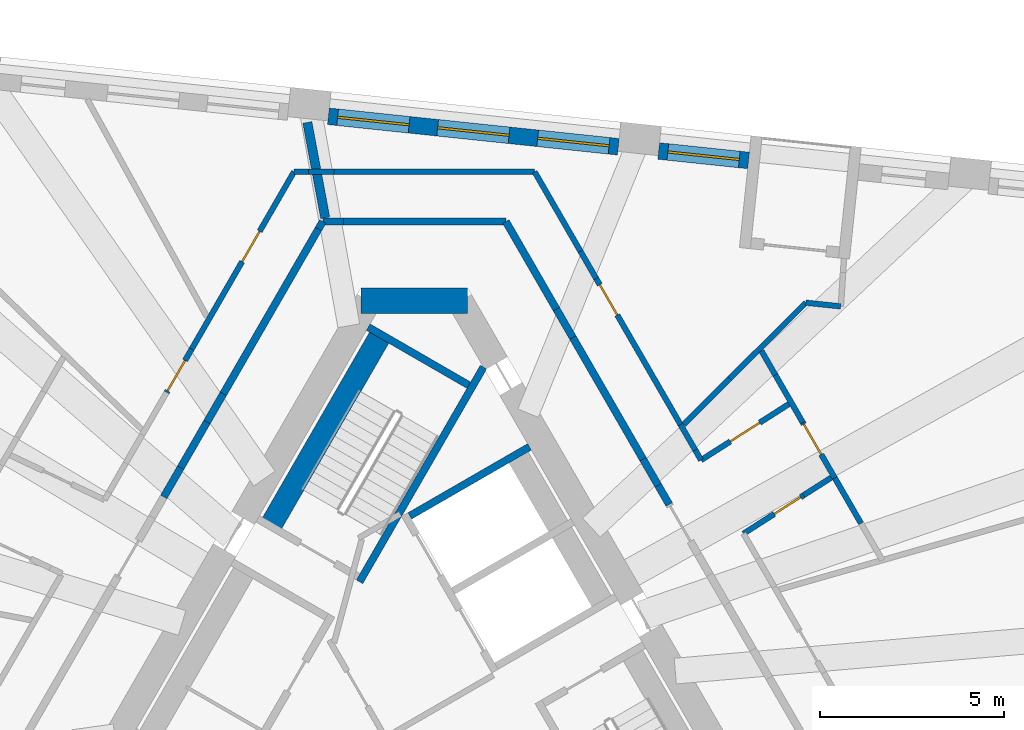
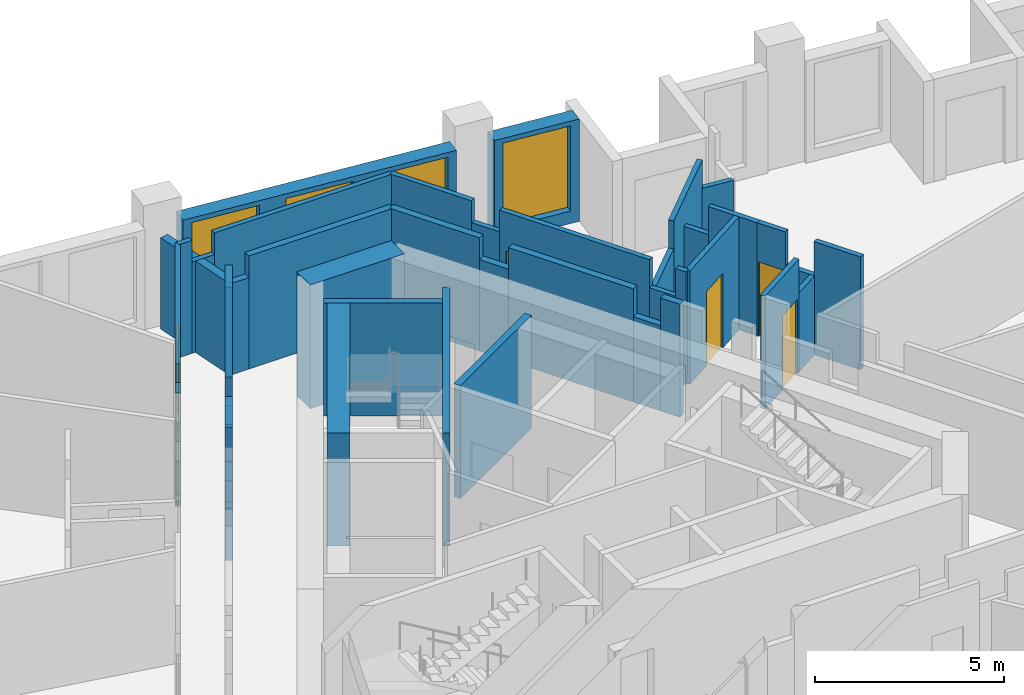
# One storey, part 7 of 11: 40 walls, 6 doors, 4 windows, 10 openings.
"""IFC4 building model written with IfcOpenShell, lengths in metres."""

from ifc_helpers import new_model, si_unit, direction, frame, frame_2d, origin, place, context, subcontext, project, spatial, polyline, rectangle, outline, extrude, material, layer, layer_set, type_object, element, fill, save


model = new_model("IFC4")

# Units and contexts
model_context = context("Model", 3, precision=1e-05, world=origin(), true_north=direction((0.0, 1.0)))
body_context = subcontext(model_context, "Body", "Model", "MODEL_VIEW")
ifc_project = project(units=[si_unit("LENGTHUNIT", "METRE"), si_unit("AREAUNIT", "SQUARE_METRE"), si_unit("VOLUMEUNIT", "CUBIC_METRE"), si_unit("PLANEANGLEUNIT", "RADIAN"), si_unit("MASSUNIT", "GRAM", prefix="KILO")], contexts=[model_context])

# Site, building, storey
site_placement = place(None, origin())
site = spatial("IfcSite", under=ifc_project, at=site_placement, CompositionType="ELEMENT")
building_placement = place(site_placement, origin())
building = spatial("IfcBuilding", under=site, at=building_placement, Name="Tramontana Tower", CompositionType="ELEMENT")
storey_placement = place(building_placement, frame((0.0, 0.0, 249.199951171875)))
storey = spatial("IfcBuildingStorey", under=building, at=storey_placement, Name="L58", CompositionType="ELEMENT", Elevation=249.199951171875)

# Walls
ifc_material_1 = material(Name="Concrete 70 MPa", Category="concrete")
ifc_layer_1 = layer(ifc_material_1, 0.699951171875)
ifc_layer_set_1 = layer_set([ifc_layer_1], Name="Core wall 700 70 MPa")
wall_type_1 = type_object("IfcWallType", Name="Core wall 700 70 MPa", PredefinedType="SHEAR", material=ifc_layer_set_1)
wall_1_placement = place(storey_placement, frame((1.443359375, 10.64990234375, 0.0), z_axis=(0.0, 0.0, 1.0), x_axis=(-1.0, 0.0, 0.0)))
element("IfcWall", 1, at=wall_1_placement, inside=storey, type_object=wall_type_1, Name="Core wall C0 L58", PredefinedType="SHEAR", context=body_context, shape_type="SweptSolid", body=[
    extrude(rectangle(XDim=2.88671875, YDim=0.699951171875, at=frame_2d((1.443359375, 0.0))), origin(), (0.0, 0.0, 1.0), 4.0),
])
ifc_material_2 = material(Name="Blockwork", Category="masonry")
ifc_layer_2 = layer(ifc_material_2, 0.199951171875)
ifc_layer_set_2 = layer_set([ifc_layer_2], Name="ENTRY WALL 200")
wall_type_2 = type_object("IfcWallType", Name="ENTRY WALL 200", PredefinedType="SOLIDWALL", material=ifc_layer_set_2)
wall_2_placement = place(storey_placement, frame((-6.79541015625, 5.329833984375, 0.0), z_axis=(0.0, 0.0, 1.0), x_axis=(0.499975954304, 0.866039286129, 0.0)))
element("IfcWall", 2, at=wall_2_placement, inside=storey, type_object=wall_type_2, Name="Wall v61-ew3-7", PredefinedType="SOLIDWALL", context=body_context, shape_type="SweptSolid", body=[
    extrude(rectangle(XDim=0.9169921875, YDim=0.199951171875, at=frame_2d((0.45849609375, 0.0))), origin(), (0.0, 0.0, 1.0), 2.550048828125),
])
wall_3_placement = place(storey_placement, frame((-6.3369140625, 6.1240234375, 0.0), z_axis=(0.0, 0.0, 1.0), x_axis=(0.499904796234, 0.866080362727, 0.0)))
element("IfcWall", 3, at=wall_3_placement, inside=storey, type_object=wall_type_2, Name="Wall v61-ew3-8", PredefinedType="SOLIDWALL", context=body_context, shape_type="SweptSolid", body=[
    extrude(rectangle(XDim=1.429443359375, YDim=0.199951171875, at=frame_2d((0.71484375, 0.0))), origin(), (0.0, 0.0, 1.0), 3.650146484375),
])
wall_4_placement = place(storey_placement, frame((-5.622314453125, 7.362060546875, 0.0), z_axis=(0.0, 0.0, 1.0), x_axis=(0.500121072013, 0.86595549154, 0.0)))
element("IfcWall", 4, at=wall_4_placement, inside=storey, type_object=wall_type_2, Name="Wall v61-ew3-9", PredefinedType="SOLIDWALL", context=body_context, shape_type="SweptSolid", body=[
    extrude(rectangle(XDim=0.883544921875, YDim=0.199951171875, at=frame_2d((0.44189453125, 0.0))), origin(), (0.0, 0.0, 1.0), 2.75),
])
wall_5_placement = place(storey_placement, frame((-5.180419921875, 8.127197265625, 0.0), z_axis=(0.0, 0.0, 1.0), x_axis=(0.499995433041, 0.866028040503, 0.0)))
element("IfcWall", 5, at=wall_5_placement, inside=storey, type_object=wall_type_2, Name="Wall v61-ew3-10", PredefinedType="SOLIDWALL", context=body_context, shape_type="SweptSolid", body=[
    extrude(rectangle(XDim=5.1611328125, YDim=0.199951171875, at=frame_2d((2.58056640625, 0.0))), origin(), (0.0, 0.0, 1.0), 3.650146484375),
])
wall_6_placement = place(storey_placement, frame((-2.599853515625, 12.596923828125, 0.0), z_axis=(0.0, 0.0, 1.0), x_axis=(0.49972245349, 0.866185586049, 0.0)))
element("IfcWall", 6, at=wall_6_placement, inside=storey, type_object=wall_type_2, Name="Wall v61-ew3-11", PredefinedType="SOLIDWALL", context=body_context, shape_type="SweptSolid", body=[
    extrude(rectangle(XDim=0.234619140625, YDim=0.199951171875, at=frame_2d((0.1171875, 0.0))), origin(), (0.0, 0.0, 1.0), 2.949951171875),
])
wall_7_placement = place(storey_placement, frame((-2.482666015625, 12.800048828125, 0.0), z_axis=(0.0, 0.0, 1.0), x_axis=(1.0, 0.0, 0.0)))
element("IfcWall", 7, at=wall_7_placement, inside=storey, type_object=wall_type_2, Name="Wall v61-ew4-0", PredefinedType="SOLIDWALL", context=body_context, shape_type="SweptSolid", body=[
    extrude(rectangle(XDim=0.5576171875, YDim=0.199951171875, at=frame_2d((0.27880859375, 0.0))), origin(), (0.0, 0.0, 1.0), 2.949951171875),
])
wall_8_placement = place(storey_placement, frame((-1.925048828125, 12.800048828125, 0.0), z_axis=(0.0, 0.0, 1.0), x_axis=(1.0, 0.0, 0.0)))
element("IfcWall", 8, at=wall_8_placement, inside=storey, type_object=wall_type_2, Name="Wall v61-ew4-1", PredefinedType="SOLIDWALL", context=body_context, shape_type="SweptSolid", body=[
    extrude(rectangle(XDim=4.40771484375, YDim=0.199951171875, at=frame_2d((2.203857421875, 0.0))), origin(), (0.0, 0.0, 1.0), 3.650146484375),
])
wall_9_placement = place(storey_placement, frame((2.482666015625, 12.800048828125, 0.0), z_axis=(0.0, 0.0, 1.0), x_axis=(0.499956000529, -0.8660508054, 0.0)))
element("IfcWall", 9, at=wall_9_placement, inside=storey, type_object=wall_type_2, Name="Wall v61-ew5-0", PredefinedType="SOLIDWALL", context=body_context, shape_type="SweptSolid", body=[
    extrude(rectangle(XDim=2.744873046875, YDim=0.199951171875, at=frame_2d((1.37255859375, 0.0))), origin(), (0.0, 0.0, 1.0), 3.650146484375),
])
wall_10_placement = place(storey_placement, frame((3.85498046875, 10.4228515625, 0.0), z_axis=(0.0, 0.0, 1.0), x_axis=(0.500135429527, -0.86594719939, 0.0)))
element("IfcWall", 10, at=wall_10_placement, inside=storey, type_object=wall_type_2, Name="Wall v61-ew5-1", PredefinedType="SOLIDWALL", context=body_context, shape_type="SweptSolid", body=[
    extrude(rectangle(XDim=0.886962890625, YDim=0.199951171875, at=frame_2d((0.443359375, 0.0))), origin(), (0.0, 0.0, 1.0), 2.949951171875),
])
wall_11_placement = place(storey_placement, frame((4.298583984375, 9.65478515625, 0.0), z_axis=(0.0, 0.0, 1.0), x_axis=(0.499997905474, -0.866026613056, 0.0)))
element("IfcWall", 11, at=wall_11_placement, inside=storey, type_object=wall_type_2, Name="Wall v61-ew5-2", PredefinedType="SOLIDWALL", context=body_context, shape_type="SweptSolid", body=[
    extrude(rectangle(XDim=3.810546875, YDim=0.199951171875, at=frame_2d((1.9052734375, 0.0))), origin(), (0.0, 0.0, 1.0), 3.650146484375),
])
wall_12_placement = place(storey_placement, frame((6.203857421875, 6.354736328125, 0.0), z_axis=(0.0, 0.0, 1.0), x_axis=(0.499911126926, -0.866076708598, 0.0)))
element("IfcWall", 12, at=wall_12_placement, inside=storey, type_object=wall_type_2, Name="Wall v61-ew5-3", PredefinedType="SOLIDWALL", context=body_context, shape_type="SweptSolid", body=[
    extrude(rectangle(XDim=0.821533203125, YDim=0.199951171875, at=frame_2d((0.41064453125, 0.0))), origin(), (0.0, 0.0, 1.0), 2.75),
])
wall_13_placement = place(storey_placement, frame((6.614501953125, 5.643310546875, 0.0), z_axis=(0.0, 0.0, 1.0), x_axis=(0.500169019818, -0.865927798153, 0.0)))
element("IfcWall", 13, at=wall_13_placement, inside=storey, type_object=wall_type_2, Name="Wall v61-ew5-4", PredefinedType="SOLIDWALL", context=body_context, shape_type="SweptSolid", body=[
    extrude(rectangle(XDim=0.599365234375, YDim=0.199951171875, at=frame_2d((0.2998046875, 0.0))), origin(), (0.0, 0.0, 1.0), 3.650146484375),
])

# Wall, opening, window
ifc_material_3 = material(Name="Precast concrete 60 MPa", Category="concrete")
ifc_layer_3 = layer(ifc_material_3, 0.449951171875)
ifc_layer_set_3 = layer_set([ifc_layer_3], Name="Precast concrete 60 MPa, 450 mm")
wall_type_3 = type_object("IfcWallType", Name="EW1 Stone-faced precast wall 450", PredefinedType="SOLIDWALL", material=ifc_layer_set_3)
wall_14_placement = place(storey_placement, frame((9.06640625, 14.45654296875, 0.0), z_axis=(0.0, 0.0, 1.0), x_axis=(-0.994521805438, 0.10452931889, 0.0)))
wall_14 = element("IfcWall", 14, at=wall_14_placement, inside=storey, type_object=wall_type_3, Name="External wall L58 face 2 bay 2", PredefinedType="SOLIDWALL", context=body_context, shape_type="SweptSolid", body=[
    extrude(rectangle(XDim=2.452392578125, YDim=0.449951171875, at=frame_2d((1.22607421875, 0.0))), origin(), (0.0, 0.0, 1.0), 3.300048828125),
])
opening_1_placement = place(wall_14_placement, frame((0.251220703125, 0.0, 0.39990234375)))
opening_1 = element("IfcOpeningElement", 15, at=opening_1_placement, cuts=wall_14, Name="Opening M3", PredefinedType="OPENING", context=body_context, shape_type="SweptSolid", body=[
    extrude(rectangle(XDim=1.949951171875, YDim=2.75, at=frame_2d((0.97509765625, 1.375))), frame((0.0, 0.23486328125, 0.0), z_axis=(0.0, -1.0, 0.0), x_axis=(1.0, 0.0, 0.0)), (0.0, 0.0, 1.0), 0.469970703125),
])
ifc_material_4 = material(Name="Aluminum frame, double glazing unit", Category="aluminium")
window_type = type_object("IfcWindowType", Name="M3 Window 1.95 x 2.75", PartitioningType="SINGLE_PANEL", PredefinedType="WINDOW", material=ifc_material_4)
window_1_placement = place(opening_1_placement, origin())
window_1 = element("IfcWindow", 16, at=window_1_placement, inside=storey, type_object=window_type, Name="Window M3 L58 face 2 module 6", OverallHeight=2.75, OverallWidth=1.949951171875, PartitioningType="SINGLE_PANEL", PredefinedType="WINDOW", context=body_context, shape_type="SweptSolid", body=[
    extrude(rectangle(XDim=1.949951171875, YDim=2.75, at=frame_2d((0.97509765625, 1.375))), frame((0.0, 0.030029296875, 0.0), z_axis=(0.0, -1.0, 0.0), x_axis=(1.0, 0.0, 0.0)), (0.0, 0.0, 1.0), 0.06005859375),
])
fill(opening_1, window_1)

# Wall, openings, windows
wall_15_placement = place(storey_placement, frame((5.53369140625, 14.827880859375, 0.0), z_axis=(0.0, 0.0, 1.0), x_axis=(-0.994522865711, 0.104519230663, 0.0)))
wall_15 = element("IfcWall", 17, at=wall_15_placement, inside=storey, type_object=wall_type_3, Name="External wall L58 face 2 bay 3", PredefinedType="SOLIDWALL", context=body_context, shape_type="SweptSolid", body=[
    extrude(rectangle(XDim=7.90673828125, YDim=0.449951171875, at=frame_2d((3.953369140625, 0.0))), origin(), (0.0, 0.0, 1.0), 3.300048828125),
])
opening_2_placement = place(wall_15_placement, frame((0.251220703125, 0.0, 0.39990234375)))
opening_2 = element("IfcOpeningElement", 18, at=opening_2_placement, cuts=wall_15, Name="Opening M3", PredefinedType="OPENING", context=body_context, shape_type="SweptSolid", body=[
    extrude(rectangle(XDim=1.949951171875, YDim=2.75, at=frame_2d((0.97509765625, 1.375))), frame((0.0, 0.23486328125, 0.0), z_axis=(0.0, -1.0, 0.0), x_axis=(1.0, 0.0, 0.0)), (0.0, 0.0, 1.0), 0.469970703125),
])
opening_3_placement = place(wall_15_placement, frame((2.978271484375, 0.0, 0.39990234375)))
opening_3 = element("IfcOpeningElement", 19, at=opening_3_placement, cuts=wall_15, Name="Opening M3", PredefinedType="OPENING", context=body_context, shape_type="SweptSolid", body=[
    extrude(rectangle(XDim=1.949951171875, YDim=2.75, at=frame_2d((0.97509765625, 1.375))), frame((0.0, 0.23486328125, 0.0), z_axis=(0.0, -1.0, 0.0), x_axis=(1.0, 0.0, 0.0)), (0.0, 0.0, 1.0), 0.469970703125),
])
opening_4_placement = place(wall_15_placement, frame((5.70556640625, 0.0, 0.39990234375)))
opening_4 = element("IfcOpeningElement", 20, at=opening_4_placement, cuts=wall_15, Name="Opening M3", PredefinedType="OPENING", context=body_context, shape_type="SweptSolid", body=[
    extrude(rectangle(XDim=1.949951171875, YDim=2.75, at=frame_2d((0.97509765625, 1.375))), frame((0.0, 0.23486328125, 0.0), z_axis=(0.0, -1.0, 0.0), x_axis=(1.0, 0.0, 0.0)), (0.0, 0.0, 1.0), 0.469970703125),
])
window_2_placement = place(opening_2_placement, origin())
window_2 = element("IfcWindow", 21, at=window_2_placement, inside=storey, type_object=window_type, Name="Window M3 L58 face 2 module 7", OverallHeight=2.75, OverallWidth=1.949951171875, PartitioningType="SINGLE_PANEL", PredefinedType="WINDOW", context=body_context, shape_type="SweptSolid", body=[
    extrude(rectangle(XDim=1.949951171875, YDim=2.75, at=frame_2d((0.97509765625, 1.375))), frame((0.0, 0.030029296875, 0.0), z_axis=(0.0, -1.0, 0.0), x_axis=(1.0, 0.0, 0.0)), (0.0, 0.0, 1.0), 0.06005859375),
])
fill(opening_2, window_2)
window_3_placement = place(opening_3_placement, origin())
window_3 = element("IfcWindow", 22, at=window_3_placement, inside=storey, type_object=window_type, Name="Window M3 L58 face 2 module 8", OverallHeight=2.75, OverallWidth=1.949951171875, PartitioningType="SINGLE_PANEL", PredefinedType="WINDOW", context=body_context, shape_type="SweptSolid", body=[
    extrude(rectangle(XDim=1.949951171875, YDim=2.75, at=frame_2d((0.97509765625, 1.375))), frame((0.0, 0.030029296875, 0.0), z_axis=(0.0, -1.0, 0.0), x_axis=(1.0, 0.0, 0.0)), (0.0, 0.0, 1.0), 0.06005859375),
])
fill(opening_3, window_3)
window_4_placement = place(opening_4_placement, origin())
window_4 = element("IfcWindow", 23, at=window_4_placement, inside=storey, type_object=window_type, Name="Window M3 L58 face 2 module 9", OverallHeight=2.75, OverallWidth=1.949951171875, PartitioningType="SINGLE_PANEL", PredefinedType="WINDOW", context=body_context, shape_type="SweptSolid", body=[
    extrude(rectangle(XDim=1.949951171875, YDim=2.75, at=frame_2d((0.97509765625, 1.375))), frame((0.0, 0.030029296875, 0.0), z_axis=(0.0, -1.0, 0.0), x_axis=(1.0, 0.0, 0.0)), (0.0, 0.0, 1.0), 0.06005859375),
])
fill(opening_4, window_4)

# Wall, opening, door
ifc_material_5 = material(Name="Gypsum board partition")
ifc_layer_4 = layer(ifc_material_5, 0.14990234375)
ifc_layer_set_4 = layer_set([ifc_layer_4], Name="PARTITION 150")
wall_type_4 = type_object("IfcWallType", Name="PARTITION 150", PredefinedType="PARTITIONING", material=ifc_layer_set_4)
wall_16_placement = place(storey_placement, frame((-6.717041015625, 8.16552734375, 0.0), z_axis=(0.0, 0.0, 1.0), x_axis=(0.499941024108, 0.866059450854, 0.0)))
wall_16 = element("IfcWall", 24, at=wall_16_placement, inside=storey, type_object=wall_type_4, Name="Wall v61-pw09-4", PredefinedType="PARTITIONING", context=body_context, shape_type="SweptSolid", body=[
    extrude(outline(polyline([(0.0, 0.0), (1.353759765625, 0.0), (1.353759765625, 2.75), (0.497802734375, 2.75), (0.497802734375, 3.650146484375), (0.0, 3.650146484375), (0.0, 0.0)])), frame((0.0, 0.074951171875, 0.0), z_axis=(0.0, -1.0, 0.0), x_axis=(1.0, 0.0, 0.0)), (0.0, 0.0, 1.0), 0.14990234375),
])
opening_5_placement = place(wall_16_placement, frame((0.050048828125, 0.0, 0.0)))
opening_5 = element("IfcOpeningElement", 25, at=opening_5_placement, cuts=wall_16, Name="Opening B6B-04", PredefinedType="OPENING", context=body_context, shape_type="SweptSolid", body=[
    extrude(rectangle(XDim=0.949951171875, YDim=2.39990234375, at=frame_2d((0.47509765625, 1.199951171875))), frame((0.0, 0.0849609375, 0.0), z_axis=(0.0, -1.0, 0.0), x_axis=(1.0, 0.0, 0.0)), (0.0, 0.0, 1.0), 0.169921875),
])
ifc_material_6 = material(Name="Painted timber", Category="wood")
door_type_1 = type_object("IfcDoorType", Name="DOOR ROOM 950", OperationType="SINGLE_SWING_LEFT", PredefinedType="DOOR", material=ifc_material_6)
door_1_placement = place(opening_5_placement, origin())
door_1 = element("IfcDoor", 26, at=door_1_placement, inside=storey, type_object=door_type_1, Name="Door B6B-04", OperationType="SINGLE_SWING_RIGHT", OverallHeight=2.39990234375, OverallWidth=0.949951171875, PredefinedType="DOOR", context=body_context, shape_type="SweptSolid", body=[
    extrude(rectangle(XDim=0.949951171875, YDim=2.39990234375, at=frame_2d((0.47509765625, 1.199951171875))), frame((0.0, 0.02490234375, 0.0), z_axis=(0.0, -1.0, 0.0), x_axis=(1.0, 0.0, 0.0)), (0.0, 0.0, 1.0), 0.050048828125),
])
fill(opening_5, door_1)

wall_17_placement = place(storey_placement, frame((-6.040283203125, 9.337890625, 0.0), z_axis=(0.0, 0.0, 1.0), x_axis=(0.500014044516, 0.866017295027, 0.0)))
wall_17 = element("IfcWall", 27, at=wall_17_placement, inside=storey, type_object=wall_type_4, Name="Wall v61-pw09-5", PredefinedType="PARTITIONING", context=body_context, shape_type="SweptSolid", body=[
    extrude(rectangle(XDim=5.556396484375, YDim=0.14990234375, at=frame_2d((2.7783203125, 0.0))), origin(), (0.0, 0.0, 1.0), 3.650146484375),
])
opening_6_placement = place(wall_17_placement, frame((2.7421875, 0.0, 0.0)))
opening_6 = element("IfcOpeningElement", 28, at=opening_6_placement, cuts=wall_17, Name="Opening B6B-05", PredefinedType="OPENING", context=body_context, shape_type="SweptSolid", body=[
    extrude(rectangle(XDim=0.949951171875, YDim=2.39990234375, at=frame_2d((0.47509765625, 1.199951171875))), frame((0.0, 0.0849609375, 0.0), z_axis=(0.0, -1.0, 0.0), x_axis=(1.0, 0.0, 0.0)), (0.0, 0.0, 1.0), 0.169921875),
])
door_2_placement = place(opening_6_placement, origin())
door_2 = element("IfcDoor", 29, at=door_2_placement, inside=storey, type_object=door_type_1, Name="Door B6B-05", OperationType="SINGLE_SWING_LEFT", OverallHeight=2.39990234375, OverallWidth=0.949951171875, PredefinedType="DOOR", context=body_context, shape_type="SweptSolid", body=[
    extrude(rectangle(XDim=0.949951171875, YDim=2.39990234375, at=frame_2d((0.47509765625, 1.199951171875))), frame((0.0, 0.02490234375, 0.0), z_axis=(0.0, -1.0, 0.0), x_axis=(1.0, 0.0, 0.0)), (0.0, 0.0, 1.0), 0.050048828125),
])
fill(opening_6, door_2)

# Walls
wall_18_placement = place(storey_placement, frame((-3.261962890625, 14.14990234375, 0.0), z_axis=(0.0, 0.0, 1.0), x_axis=(1.0, 0.0, 0.0)))
element("IfcWall", 30, at=wall_18_placement, inside=storey, type_object=wall_type_4, Name="Wall v61-pw15-0", PredefinedType="PARTITIONING", context=body_context, shape_type="SweptSolid", body=[
    extrude(rectangle(XDim=0.398193359375, YDim=0.14990234375, at=frame_2d((0.19921875, 0.0))), origin(), (0.0, 0.0, 1.0), 3.650146484375),
])
wall_19_placement = place(storey_placement, frame((-2.86376953125, 14.14990234375, 0.0), z_axis=(0.0, 0.0, 1.0), x_axis=(1.0, 0.0, 0.0)))
element("IfcWall", 31, at=wall_19_placement, inside=storey, type_object=wall_type_4, Name="Wall v61-pw15-1", PredefinedType="PARTITIONING", context=body_context, shape_type="SweptSolid", body=[
    extrude(rectangle(XDim=0.685546875, YDim=0.14990234375, at=frame_2d((0.3427734375, 0.0))), origin(), (0.0, 0.0, 1.0), 2.949951171875),
])
wall_20_placement = place(storey_placement, frame((-2.17822265625, 14.14990234375, 0.0), z_axis=(0.0, 0.0, 1.0), x_axis=(1.0, 0.0, 0.0)))
element("IfcWall", 32, at=wall_20_placement, inside=storey, type_object=wall_type_4, Name="Wall v61-pw15-2", PredefinedType="PARTITIONING", context=body_context, shape_type="SweptSolid", body=[
    extrude(rectangle(XDim=5.440185546875, YDim=0.14990234375, at=frame_2d((2.72021484375, 0.0))), origin(), (0.0, 0.0, 1.0), 3.650146484375),
])
wall_21_placement = place(storey_placement, frame((3.261962890625, 14.14990234375, 0.0), z_axis=(0.0, 0.0, 1.0), x_axis=(0.500042260233, -0.866001003452, 0.0)))
element("IfcWall", 33, at=wall_21_placement, inside=storey, type_object=wall_type_4, Name="Wall v61-pw19-0", PredefinedType="PARTITIONING", context=body_context, shape_type="SweptSolid", body=[
    extrude(rectangle(XDim=2.489013671875, YDim=0.14990234375, at=frame_2d((1.24462890625, 0.0))), origin(), (0.0, 0.0, 1.0), 3.650146484375),
])
wall_22_placement = place(storey_placement, frame((4.506591796875, 11.994384765625, 0.0), z_axis=(0.0, 0.0, 1.0), x_axis=(0.499944768143, -0.866057289563, 0.0)))
element("IfcWall", 34, at=wall_22_placement, inside=storey, type_object=wall_type_4, Name="Wall v61-pw19-1", PredefinedType="PARTITIONING", context=body_context, shape_type="SweptSolid", body=[
    extrude(rectangle(XDim=0.85546875, YDim=0.14990234375, at=frame_2d((0.427734375, 0.0))), origin(), (0.0, 0.0, 1.0), 2.949951171875),
])

# Wall, opening, door
wall_23_placement = place(storey_placement, frame((4.934326171875, 11.25341796875, 0.0), z_axis=(0.0, 0.0, 1.0), x_axis=(0.500001111708, -0.866024761939, 0.0)))
wall_23 = element("IfcWall", 35, at=wall_23_placement, inside=storey, type_object=wall_type_4, Name="Wall v61-pw19-2", PredefinedType="PARTITIONING", context=body_context, shape_type="SweptSolid", body=[
    extrude(rectangle(XDim=4.57568359375, YDim=0.14990234375, at=frame_2d((2.287841796875, 0.0))), origin(), (0.0, 0.0, 1.0), 3.650146484375),
])
opening_7_placement = place(wall_23_placement, frame((0.1923828125, 0.0, 0.0)))
opening_7 = element("IfcOpeningElement", 36, at=opening_7_placement, cuts=wall_23, Name="Opening B6B-19", PredefinedType="OPENING", context=body_context, shape_type="SweptSolid", body=[
    extrude(rectangle(XDim=0.949951171875, YDim=2.39990234375, at=frame_2d((0.47509765625, 1.199951171875))), frame((0.0, 0.0849609375, 0.0), z_axis=(0.0, -1.0, 0.0), x_axis=(1.0, 0.0, 0.0)), (0.0, 0.0, 1.0), 0.169921875),
])
door_3_placement = place(opening_7_placement, origin())
door_3 = element("IfcDoor", 37, at=door_3_placement, inside=storey, type_object=door_type_1, Name="Door B6B-19", OperationType="SINGLE_SWING_LEFT", OverallHeight=2.39990234375, OverallWidth=0.949951171875, PredefinedType="DOOR", context=body_context, shape_type="SweptSolid", body=[
    extrude(rectangle(XDim=0.949951171875, YDim=2.39990234375, at=frame_2d((0.47509765625, 1.199951171875))), frame((0.0, 0.02490234375, 0.0), z_axis=(0.0, -1.0, 0.0), x_axis=(1.0, 0.0, 0.0)), (0.0, 0.0, 1.0), 0.050048828125),
])
fill(opening_7, door_3)

# Walls
wall_24_placement = place(storey_placement, frame((7.22216796875, 7.290771484375, 0.0), z_axis=(0.0, 0.0, 1.0), x_axis=(0.500032254052, -0.866006781098, 0.0)))
element("IfcWall", 38, at=wall_24_placement, inside=storey, type_object=wall_type_4, Name="Wall v61-pw19-3", PredefinedType="PARTITIONING", context=body_context, shape_type="SweptSolid", body=[
    extrude(rectangle(XDim=0.7958984375, YDim=0.14990234375, at=frame_2d((0.39794921875, 0.0))), origin(), (0.0, 0.0, 1.0), 2.75),
])
wall_25_placement = place(storey_placement, frame((7.6201171875, 6.6015625, 0.0), z_axis=(0.0, 0.0, 1.0), x_axis=(0.500303403544, -0.865850162789, 0.0)))
element("IfcWall", 39, at=wall_25_placement, inside=storey, type_object=wall_type_4, Name="Wall v61-pw19-4", PredefinedType="PARTITIONING", context=body_context, shape_type="SweptSolid", body=[
    extrude(rectangle(XDim=0.315185546875, YDim=0.14990234375, at=frame_2d((0.15771484375, 0.0))), origin(), (0.0, 0.0, 1.0), 3.650146484375),
])
wall_26_placement = place(storey_placement, frame((7.307373046875, 7.293212890625, 0.0), z_axis=(0.0, 0.0, 1.0), x_axis=(0.707867966079, 0.706344776011, 0.0)))
element("IfcWall", 40, at=wall_26_placement, inside=storey, type_object=wall_type_4, Name="Wall v61-pw22-0", PredefinedType="PARTITIONING", context=body_context, shape_type="SweptSolid", body=[
    extrude(rectangle(XDim=1.76318359375, YDim=0.14990234375, at=frame_2d((0.881591796875, 0.0))), origin(), (0.0, 0.0, 1.0), 2.75),
])
wall_27_placement = place(storey_placement, frame((8.555419921875, 8.53857421875, 0.0), z_axis=(0.0, 0.0, 1.0), x_axis=(0.707776468702, 0.706436458821, 0.0)))
element("IfcWall", 41, at=wall_27_placement, inside=storey, type_object=wall_type_4, Name="Wall v61-pw22-1", PredefinedType="PARTITIONING", context=body_context, shape_type="SweptSolid", body=[
    extrude(rectangle(XDim=2.9150390625, YDim=0.14990234375, at=frame_2d((1.45751953125, 0.0))), origin(), (0.0, 0.0, 1.0), 3.650146484375),
])

# Wall, opening, door
wall_28_placement = place(storey_placement, frame((7.77783203125, 6.32861328125, 0.0), z_axis=(0.0, 0.0, 1.0), x_axis=(0.842949702155, 0.53799237879, 0.0)))
wall_28 = element("IfcWall", 42, at=wall_28_placement, inside=storey, type_object=wall_type_4, Name="Wall v61-pw23", PredefinedType="PARTITIONING", context=body_context, shape_type="SweptSolid", body=[
    extrude(rectangle(XDim=2.82763671875, YDim=0.14990234375, at=frame_2d((1.413818359375, 0.0))), origin(), (0.0, 0.0, 1.0), 3.650146484375),
])
opening_8_placement = place(wall_28_placement, frame((0.93896484375, 0.0, 0.0)))
opening_8 = element("IfcOpeningElement", 43, at=opening_8_placement, cuts=wall_28, Name="Opening B6B-14", PredefinedType="OPENING", context=body_context, shape_type="SweptSolid", body=[
    extrude(rectangle(XDim=0.949951171875, YDim=2.39990234375, at=frame_2d((0.47509765625, 1.199951171875))), frame((0.0, 0.0849609375, 0.0), z_axis=(0.0, -1.0, 0.0), x_axis=(1.0, 0.0, 0.0)), (0.0, 0.0, 1.0), 0.169921875),
])
door_4_placement = place(opening_8_placement, origin())
door_4 = element("IfcDoor", 44, at=door_4_placement, inside=storey, type_object=door_type_1, Name="Door B6B-14", OperationType="SINGLE_SWING_RIGHT", OverallHeight=2.39990234375, OverallWidth=0.949951171875, PredefinedType="DOOR", context=body_context, shape_type="SweptSolid", body=[
    extrude(rectangle(XDim=0.949951171875, YDim=2.39990234375, at=frame_2d((0.47509765625, 1.199951171875))), frame((0.0, 0.02490234375, 0.0), z_axis=(0.0, -1.0, 0.0), x_axis=(1.0, 0.0, 0.0)), (0.0, 0.0, 1.0), 0.050048828125),
])
fill(opening_8, door_4)

# Walls
wall_29_placement = place(storey_placement, frame((9.415771484375, 9.291259765625, 0.0), z_axis=(0.0, 0.0, 1.0), x_axis=(0.500132351176, -0.865948977311, 0.0)))
element("IfcWall", 45, at=wall_29_placement, inside=storey, type_object=wall_type_4, Name="Wall v61-pw25-0", PredefinedType="PARTITIONING", context=body_context, shape_type="SweptSolid", body=[
    extrude(rectangle(XDim=0.756103515625, YDim=0.14990234375, at=frame_2d((0.3779296875, 0.0))), origin(), (0.0, 0.0, 1.0), 2.75),
])
wall_30_placement = place(storey_placement, frame((9.7939453125, 8.636474609375, 0.0), z_axis=(0.0, 0.0, 1.0), x_axis=(0.500039709243, -0.866002476428, 0.0)))
element("IfcWall", 46, at=wall_30_placement, inside=storey, type_object=wall_type_4, Name="Wall v61-pw25-1", PredefinedType="PARTITIONING", context=body_context, shape_type="SweptSolid", body=[
    extrude(rectangle(XDim=1.48779296875, YDim=0.14990234375, at=frame_2d((0.743896484375, 0.0))), origin(), (0.0, 0.0, 1.0), 3.650146484375),
])

# Wall, opening, door
wall_31_placement = place(storey_placement, frame((10.537841796875, 7.34814453125, 0.0), z_axis=(0.0, 0.0, 1.0), x_axis=(0.499893013529, -0.866087163642, 0.0)))
wall_31 = element("IfcWall", 47, at=wall_31_placement, inside=storey, type_object=wall_type_4, Name="Wall v61-pw25-2", PredefinedType="PARTITIONING", context=body_context, shape_type="SweptSolid", body=[
    extrude(outline(polyline([(0.0, 0.0), (1.73486328125, 0.0), (1.734619140625, 2.550048828125), (0.859619140625, 2.550048828125), (0.859619140625, 3.650146484375), (0.0, 3.650146484375), (0.0, 0.0)])), frame((0.0, 0.074951171875, 0.0), z_axis=(0.0, -1.0, 0.0), x_axis=(1.0, 0.0, 0.0)), (0.0, 0.0, 1.0), 0.14990234375),
])
opening_9_placement = place(wall_31_placement, frame((0.050048828125, 0.0, 0.0)))
opening_9 = element("IfcOpeningElement", 48, at=opening_9_placement, cuts=wall_31, Name="Opening B6B-16", PredefinedType="OPENING", context=body_context, shape_type="SweptSolid", body=[
    extrude(rectangle(XDim=0.949951171875, YDim=2.39990234375, at=frame_2d((0.47509765625, 1.199951171875))), frame((0.0, 0.0849609375, 0.0), z_axis=(0.0, -1.0, 0.0), x_axis=(1.0, 0.0, 0.0)), (0.0, 0.0, 1.0), 0.169921875),
])
door_5_placement = place(opening_9_placement, origin())
door_5 = element("IfcDoor", 49, at=door_5_placement, inside=storey, type_object=door_type_1, Name="Door B6B-16", OperationType="SINGLE_SWING_RIGHT", OverallHeight=2.39990234375, OverallWidth=0.949951171875, PredefinedType="DOOR", context=body_context, shape_type="SweptSolid", body=[
    extrude(rectangle(XDim=0.949951171875, YDim=2.39990234375, at=frame_2d((0.47509765625, 1.199951171875))), frame((0.0, 0.02490234375, 0.0), z_axis=(0.0, -1.0, 0.0), x_axis=(1.0, 0.0, 0.0)), (0.0, 0.0, 1.0), 0.050048828125),
])
fill(opening_9, door_5)

# Walls
wall_32_placement = place(storey_placement, frame((11.405029296875, 5.845703125, 0.0), z_axis=(0.0, 0.0, 1.0), x_axis=(0.500103350459, -0.865965726146, 0.0)))
element("IfcWall", 50, at=wall_32_placement, inside=storey, type_object=wall_type_4, Name="Wall v61-pw25-3", PredefinedType="PARTITIONING", context=body_context, shape_type="SweptSolid", body=[
    extrude(rectangle(XDim=1.424072265625, YDim=0.14990234375, at=frame_2d((0.7119140625, 0.0))), origin(), (0.0, 0.0, 1.0), 3.650146484375),
])
wall_33_placement = place(storey_placement, frame((10.618896484375, 10.597900390625, 0.0), z_axis=(0.0, 0.0, 1.0), x_axis=(0.994522285292, -0.104524753323, 0.0)))
element("IfcWall", 51, at=wall_33_placement, inside=storey, type_object=wall_type_4, Name="Wall v61-pw30-0", PredefinedType="PARTITIONING", context=body_context, shape_type="SweptSolid", body=[
    extrude(rectangle(XDim=0.952880859375, YDim=0.14990234375, at=frame_2d((0.4765625, 0.0))), origin(), (0.0, 0.0, 1.0), 2.75),
])
wall_34_placement = place(storey_placement, frame((11.3125, 5.856201171875, 0.0), z_axis=(0.0, 0.0, 1.0), x_axis=(-0.842909065223, -0.538056045189, 0.0)))
element("IfcWall", 52, at=wall_34_placement, inside=storey, type_object=wall_type_4, Name="Wall v61-pw35-0", PredefinedType="PARTITIONING", context=body_context, shape_type="SweptSolid", body=[
    extrude(rectangle(XDim=0.896240234375, YDim=0.14990234375, at=frame_2d((0.4482421875, 0.0))), origin(), (0.0, 0.0, 1.0), 2.550048828125),
])

# Wall, opening, door
wall_35_placement = place(storey_placement, frame((10.55712890625, 5.3740234375, 0.0), z_axis=(0.0, 0.0, 1.0), x_axis=(-0.842911232895, -0.538052649338, 0.0)))
wall_35 = element("IfcWall", 53, at=wall_35_placement, inside=storey, type_object=wall_type_4, Name="Wall v61-pw35-1", PredefinedType="PARTITIONING", context=body_context, shape_type="SweptSolid", body=[
    extrude(rectangle(XDim=1.931640625, YDim=0.14990234375, at=frame_2d((0.9658203125, 0.0))), origin(), (0.0, 0.0, 1.0), 3.650146484375),
])
opening_10_placement = place(wall_35_placement, frame((0.092529296875, 0.0, 0.0)))
opening_10 = element("IfcOpeningElement", 54, at=opening_10_placement, cuts=wall_35, Name="Opening B6B-15", PredefinedType="OPENING", context=body_context, shape_type="SweptSolid", body=[
    extrude(rectangle(XDim=0.85009765625, YDim=2.39990234375, at=frame_2d((0.425048828125, 1.199951171875))), frame((0.0, 0.0849609375, 0.0), z_axis=(0.0, -1.0, 0.0), x_axis=(1.0, 0.0, 0.0)), (0.0, 0.0, 1.0), 0.169921875),
])
ifc_material_7 = material(Name="Painted timber", Category="wood")
door_type_2 = type_object("IfcDoorType", Name="DOOR BATH 850", OperationType="SINGLE_SWING_LEFT", PredefinedType="DOOR", material=ifc_material_7)
door_6_placement = place(opening_10_placement, origin())
door_6 = element("IfcDoor", 55, at=door_6_placement, inside=storey, type_object=door_type_2, Name="Door B6B-15", OperationType="SINGLE_SWING_LEFT", OverallHeight=2.39990234375, OverallWidth=0.85009765625, PredefinedType="DOOR", context=body_context, shape_type="SweptSolid", body=[
    extrude(rectangle(XDim=0.85009765625, YDim=2.39990234375, at=frame_2d((0.425048828125, 1.199951171875))), frame((0.0, 0.02490234375, 0.0), z_axis=(0.0, -1.0, 0.0), x_axis=(1.0, 0.0, 0.0)), (0.0, 0.0, 1.0), 0.050048828125),
])
fill(opening_10, door_6)

# Walls
ifc_material_8 = material(Name="Blockwork", Category="masonry")
ifc_layer_5 = layer(ifc_material_8, 0.25)
ifc_layer_set_5 = layer_set([ifc_layer_5], Name="PARTY WALL 250")
wall_type_5 = type_object("IfcWallType", Name="PARTY WALL 250", PredefinedType="SOLIDWALL", material=ifc_layer_set_5)
wall_36_placement = place(storey_placement, frame((-2.900390625, 15.488037109375, 0.0), z_axis=(0.0, 0.0, 1.0), x_axis=(0.184047809229, -0.982917292511, 0.0)))
element("IfcWall", 56, at=wall_36_placement, inside=storey, type_object=wall_type_5, Name="Wall v61-pw16-0", PredefinedType="SOLIDWALL", context=body_context, shape_type="SweptSolid", body=[
    extrude(rectangle(XDim=2.633056640625, YDim=0.25, at=frame_2d((1.31640625, 0.0))), origin(), (0.0, 0.0, 1.0), 2.949951171875),
])
ifc_material_9 = material(Name="Concrete 70 MPa", Category="concrete")
ifc_layer_6 = layer(ifc_material_9, 0.60009765625)
ifc_layer_set_6 = layer_set([ifc_layer_6], Name="Concrete 70 MPa, 600 mm")
wall_type_6 = type_object("IfcWallType", Name="RC SHAFT BACK WALL 600", PredefinedType="SOLIDWALL", material=ifc_layer_set_6)
wall_37_placement = place(storey_placement, frame((-0.85302734375, 9.822509765625, 0.0), z_axis=(0.0, 0.0, 1.0), x_axis=(-0.500009909098, -0.866019682689, 0.0)))
element("IfcWall", 57, at=wall_37_placement, inside=storey, type_object=wall_type_6, Name="Wall st1-back", PredefinedType="SOLIDWALL", context=body_context, shape_type="SweptSolid", body=[
    extrude(rectangle(XDim=6.199951171875, YDim=0.60009765625, at=frame_2d((3.10009765625, 0.0))), origin(), (0.0, 0.0, 1.0), 3.650146484375),
])
ifc_material_10 = material(Name="Concrete 70 MPa", Category="concrete")
ifc_layer_7 = layer(ifc_material_10, 0.199951171875)
ifc_layer_set_7 = layer_set([ifc_layer_7], Name="Concrete 70 MPa, 200 mm")
wall_type_7 = type_object("IfcWallType", Name="RC STAIR AND SHAFT WALL 200", PredefinedType="SOLIDWALL", material=ifc_layer_set_7)
wall_38_placement = place(storey_placement, frame((1.87646484375, 8.85009765625, 0.0), z_axis=(0.0, 0.0, 1.0), x_axis=(-0.499998042495, -0.866026533947, 0.0)))
element("IfcWall", 58, at=wall_38_placement, inside=storey, type_object=wall_type_7, Name="Wall st1-front", PredefinedType="SOLIDWALL", context=body_context, shape_type="SweptSolid", body=[
    extrude(rectangle(XDim=6.72265625, YDim=0.199951171875, at=frame_2d((3.361328125, 0.0))), origin(), (0.0, 0.0, 1.0), 3.650146484375),
])
wall_39_placement = place(storey_placement, frame((1.478515625, 8.36083984375, 0.0), z_axis=(0.0, 0.0, 1.0), x_axis=(-0.866035871367, 0.499981869177, 0.0)))
element("IfcWall", 59, at=wall_39_placement, inside=storey, type_object=wall_type_7, Name="Wall st1-far", PredefinedType="SOLIDWALL", context=body_context, shape_type="SweptSolid", body=[
    extrude(rectangle(XDim=3.14990234375, YDim=0.199951171875, at=frame_2d((1.574951171875, 0.0))), origin(), (0.0, 0.0, 1.0), 3.650146484375),
])
wall_40_placement = place(storey_placement, frame((-0.123046875, 4.813232421875, 0.0), z_axis=(0.0, 0.0, 1.0), x_axis=(0.866022959057, 0.500004234368, 0.0)))
element("IfcWall", 60, at=wall_40_placement, inside=storey, type_object=wall_type_7, Name="Wall row2-side2", PredefinedType="SOLIDWALL", context=body_context, shape_type="SweptSolid", body=[
    extrude(rectangle(XDim=3.75, YDim=0.199951171875, at=frame_2d((1.875, 0.0))), origin(), (0.0, 0.0, 1.0), 3.650146484375),
])

save(model, "model.ifc")
